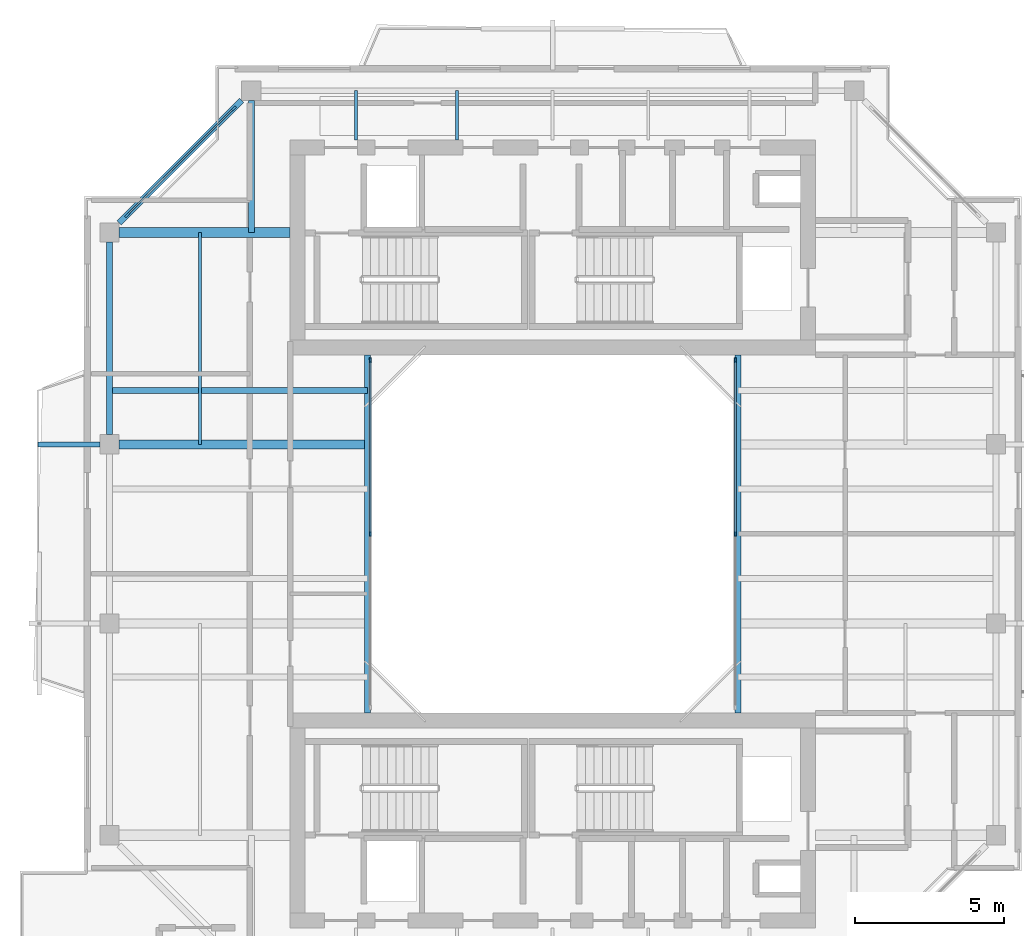
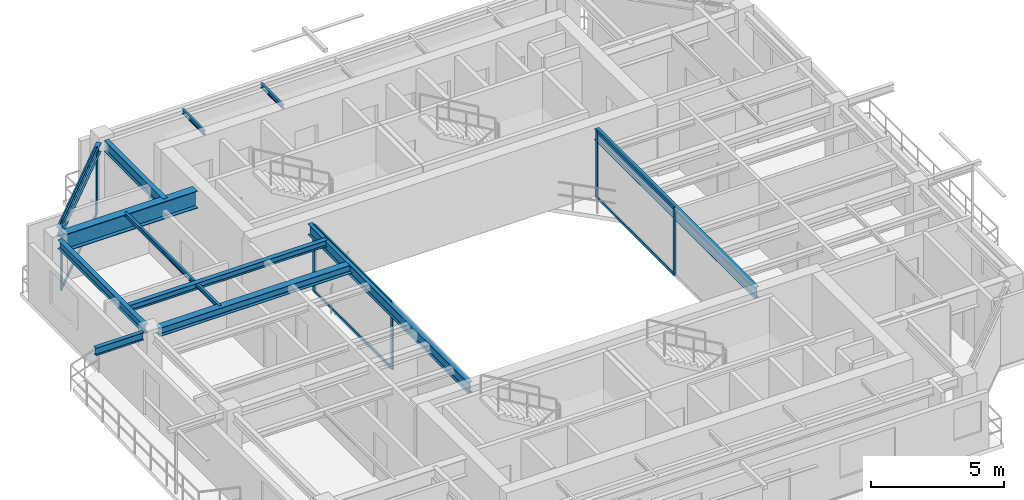
# One storey, part 4 of 14: 12 beams, 12 members, 3 elements without a shape of their own.
"""IFC4 building model written with IfcOpenShell, lengths in metres."""

from ifc_helpers import new_model, si_unit, direction, frame, origin, origin_2d, place, context, subcontext, project, spatial, rectangle, i_section, extrude, source, transform, mapped, material, layer, layer_set, material_profile, profile_set, type_object, element, aggregate, save


model = new_model("IFC4")

# Units and contexts
model_context = context("Model", 3, precision=1e-05, world=origin(), true_north=direction((0.0, 1.0)))
body_context = subcontext(model_context, "Body", "Model", "MODEL_VIEW")
ifc_project = project(units=[si_unit("LENGTHUNIT", "METRE"), si_unit("AREAUNIT", "SQUARE_METRE"), si_unit("VOLUMEUNIT", "CUBIC_METRE"), si_unit("PLANEANGLEUNIT", "RADIAN"), si_unit("MASSUNIT", "GRAM", prefix="KILO"), si_unit("THERMODYNAMICTEMPERATUREUNIT", "KELVIN"), si_unit("POWERUNIT", "WATT")], contexts=[model_context])

# Site, building, storey
site_placement = place(None, origin())
site = spatial("IfcSite", under=ifc_project, at=site_placement, CompositionType="ELEMENT")
building_placement = place(site_placement, origin())
building = spatial("IfcBuilding", under=site, at=building_placement, Name="Qiaomeng Ring Towers", CompositionType="ELEMENT")
storey_placement = place(building_placement, frame((0.0, 0.0, 243.75)))
storey = spatial("IfcBuildingStorey", under=building, at=storey_placement, Name="L71", CompositionType="ELEMENT", Elevation=243.75)

# Beams
ifc_material_1 = material(Name="Steel Q355B", Category="steel")
ifc_material_profile_1 = material_profile(ifc_material_1, i_section(OverallWidth=0.199951171875, OverallDepth=0.5, WebThickness=0.010009765625, FlangeThickness=0.01611328125, FilletRadius=0.02001953125, at=origin_2d()), Name="HN 500x200x10x16")
ifc_profile_set_1 = profile_set([ifc_material_profile_1], Name="Steel Q355B")
beam_type_1 = type_object("IfcBeamType", Name="STR-BM-HN500", PredefinedType="BEAM", material=ifc_profile_set_1)
shared_shape_1 = source(origin(), body_context, "Body", "SweptSolid", [
    extrude(i_section(OverallWidth=0.199951171875, OverallDepth=0.5, WebThickness=0.010009765625, FlangeThickness=0.01611328125, FilletRadius=0.02001953125, at=origin_2d()), origin(), (0.0, 0.0, 1.0), 12.0),
])
for number, where, z_axis, x_axis, name in (
    (1, (12.800048828125, 17.0, 2.820068359375), (0.0, 1.0, 0.0), (-1.0, 0.0, 0.0), "L71 beam STR-BM-L71-WELL-W"),
    (2, (25.199951171875, 17.0, 2.820068359375), (0.0, 1.0, 0.0), (-1.0, 0.0, 0.0), "L71 beam STR-BM-L71-WELL-E"),
):
    element("IfcBeam", number, at=place(storey_placement, frame(where, z_axis=z_axis, x_axis=x_axis)), inside=storey, type_object=beam_type_1, Name=name, PredefinedType="BEAM", context=body_context, shape_type="MappedRepresentation", body=[
        mapped(shared_shape_1, transform((0.0, 0.0, 0.0), x_axis=(1.0, 0.0, 0.0), y_axis=(0.0, 1.0, 0.0), z_axis=(0.0, 0.0, 1.0), scale=1.0)),
    ])
ifc_material_profile_2 = material_profile(ifc_material_1, i_section(OverallWidth=0.198974609375, OverallDepth=0.39599609375, WebThickness=0.007080078125, FlangeThickness=0.010986328125, FilletRadius=0.01611328125, at=origin_2d()), Name="HN 396x199x7x11")
ifc_profile_set_2 = profile_set([ifc_material_profile_2], Name="Steel Q355B")
beam_type_2 = type_object("IfcBeamType", Name="STR-BM-HN396", PredefinedType="SPANDREL", material=ifc_profile_set_2)
shared_shape_2 = source(origin(), body_context, "Body", "SweptSolid", [
    extrude(i_section(OverallWidth=0.198974609375, OverallDepth=0.39599609375, WebThickness=0.007080078125, FlangeThickness=0.010986328125, FilletRadius=0.01611328125, at=origin_2d()), origin(), (0.0, 0.0, 1.0), 5.800048828125),
])
beam_1_placement = place(storey_placement, frame((8.57568359375, 37.525634765625, 2.8720703125), z_axis=(-0.707106781187, -0.707106781187, 0.0), x_axis=(0.707106781187, -0.707106781187, 0.0)))
element("IfcBeam", 3, at=beam_1_placement, inside=storey, type_object=beam_type_2, Name="L71 beam STR-SP-L71-T1-N1-W4", PredefinedType="SPANDREL", context=body_context, shape_type="MappedRepresentation", body=[
    mapped(shared_shape_2, transform((0.0, 0.0, 0.0), x_axis=(1.0, 0.0, 0.0), y_axis=(0.0, 1.0, 0.0), z_axis=(0.0, 0.0, 1.0), scale=1.0)),
])
shared_shape_3 = source(origin(), body_context, "Body", "SweptSolid", [
    extrude(i_section(OverallWidth=0.198974609375, OverallDepth=0.39599609375, WebThickness=0.007080078125, FlangeThickness=0.010986328125, FilletRadius=0.01611328125, at=origin_2d()), origin(), (0.0, 0.0, 1.0), 6.451904296875),
])
beam_2_placement = place(storey_placement, frame((4.14990234375, 32.77587890625, 2.8720703125), z_axis=(0.0, -1.0, 0.0), x_axis=(1.0, 0.0, 0.0)))
element("IfcBeam", 4, at=beam_2_placement, inside=storey, type_object=beam_type_2, Name="L71 beam STR-SP-L71-T1-W4-W3", PredefinedType="SPANDREL", context=body_context, shape_type="MappedRepresentation", body=[
    mapped(shared_shape_3, transform((0.0, 0.0, 0.0), x_axis=(1.0, 0.0, 0.0), y_axis=(0.0, 1.0, 0.0), z_axis=(0.0, 0.0, 1.0), scale=1.0)),
])
ifc_material_2 = material(Name="Steel Q390GJC", Category="steel")
ifc_material_profile_3 = material_profile(ifc_material_2, i_section(OverallWidth=0.35009765625, OverallDepth=0.800048828125, WebThickness=0.01611328125, FlangeThickness=0.028076171875, at=origin_2d()), Name="WH 800x350x16x28")
ifc_profile_set_3 = profile_set([ifc_material_profile_3], Name="Steel Q390GJC")
beam_type_3 = type_object("IfcBeamType", Name="STR-BM-WH800", PredefinedType="BEAM", material=ifc_profile_set_3)
shared_shape_4 = source(origin(), body_context, "Body", "SweptSolid", [
    extrude(i_section(OverallWidth=0.35009765625, OverallDepth=0.800048828125, WebThickness=0.01611328125, FlangeThickness=0.028076171875, at=origin_2d()), origin(), (0.0, 0.0, 1.0), 5.725830078125),
])
beam_3_placement = place(storey_placement, frame((4.47412109375, 33.10009765625, 2.669921875), z_axis=(1.0, 0.0, 0.0), x_axis=(0.0, 1.0, 0.0)))
element("IfcBeam", 5, at=beam_3_placement, inside=storey, type_object=beam_type_3, Name="L71 beam STR-BM-L71-T1-RAD-W4", PredefinedType="BEAM", context=body_context, shape_type="MappedRepresentation", body=[
    mapped(shared_shape_4, transform((0.0, 0.0, 0.0), x_axis=(1.0, 0.0, 0.0), y_axis=(0.0, 1.0, 0.0), z_axis=(0.0, 0.0, 1.0), scale=1.0)),
])
ifc_material_profile_4 = material_profile(ifc_material_1, i_section(OverallWidth=0.198974609375, OverallDepth=0.49609375, WebThickness=0.009033203125, FlangeThickness=0.013916015625, FilletRadius=0.01806640625, at=origin_2d()), Name="HN 496x199x9x14")
ifc_profile_set_4 = profile_set([ifc_material_profile_4], Name="Steel Q355B")
beam_type_4 = type_object("IfcBeamType", Name="STR-BM-HN496", PredefinedType="BEAM", material=ifc_profile_set_4)
shared_shape_5 = source(origin(), body_context, "Body", "SweptSolid", [
    extrude(i_section(OverallWidth=0.198974609375, OverallDepth=0.49609375, WebThickness=0.009033203125, FlangeThickness=0.013916015625, FilletRadius=0.01806640625, at=origin_2d()), origin(), (0.0, 0.0, 1.0), 4.42578125),
])
beam_4_placement = place(storey_placement, frame((8.89990234375, 37.52587890625, 2.822021484375), z_axis=(0.0, -1.0, 0.0), x_axis=(1.0, 0.0, 0.0)))
element("IfcBeam", 6, at=beam_4_placement, inside=storey, type_object=beam_type_4, Name="L71 beam STR-BM-L71-T1-RAD-N1", PredefinedType="BEAM", context=body_context, shape_type="MappedRepresentation", body=[
    mapped(shared_shape_5, transform((0.0, 0.0, 0.0), x_axis=(1.0, 0.0, 0.0), y_axis=(0.0, 1.0, 0.0), z_axis=(0.0, 0.0, 1.0), scale=1.0)),
])
ifc_material_profile_5 = material_profile(ifc_material_1, i_section(OverallWidth=0.300048828125, OverallDepth=0.389892578125, WebThickness=0.010009765625, FlangeThickness=0.01611328125, FilletRadius=0.02197265625, at=origin_2d()), Name="HM 390x300x10x16")
ifc_profile_set_5 = profile_set([ifc_material_profile_5], Name="Steel Q355B")
beam_type_5 = type_object("IfcBeamType", Name="STR-BM-HM390", PredefinedType="BEAM", material=ifc_profile_set_5)
shared_shape_6 = source(origin(), body_context, "Body", "SweptSolid", [
    extrude(i_section(OverallWidth=0.300048828125, OverallDepth=0.389892578125, WebThickness=0.010009765625, FlangeThickness=0.01611328125, FilletRadius=0.02197265625, at=origin_2d()), origin(), (0.0, 0.0, 1.0), 8.325927734375),
])
beam_5_placement = place(storey_placement, frame((4.47412109375, 26.0, 2.875), z_axis=(1.0, 0.0, 0.0), x_axis=(0.0, 1.0, 0.0)))
element("IfcBeam", 7, at=beam_5_placement, inside=storey, type_object=beam_type_5, Name="L71 beam STR-BM-L71-T1-RAD-W3", PredefinedType="BEAM", context=body_context, shape_type="MappedRepresentation", body=[
    mapped(shared_shape_6, transform((0.0, 0.0, 0.0), x_axis=(1.0, 0.0, 0.0), y_axis=(0.0, 1.0, 0.0), z_axis=(0.0, 0.0, 1.0), scale=1.0)),
])
ifc_material_profile_6 = material_profile(ifc_material_1, i_section(OverallWidth=0.175048828125, OverallDepth=0.35009765625, WebThickness=0.007080078125, FlangeThickness=0.010986328125, FilletRadius=0.013916015625, at=origin_2d()), Name="HN 350x175x7x11")
ifc_profile_set_6 = profile_set([ifc_material_profile_6], Name="Steel Q355B")
beam_type_6 = type_object("IfcBeamType", Name="STR-BM-HN350", PredefinedType="JOIST", material=ifc_profile_set_6)
shared_shape_7 = source(origin(), body_context, "Body", "SweptSolid", [
    extrude(i_section(OverallWidth=0.175048828125, OverallDepth=0.35009765625, WebThickness=0.007080078125, FlangeThickness=0.010986328125, FilletRadius=0.013916015625, at=origin_2d()), origin(), (0.0, 0.0, 1.0), 2.075927734375),
])
beam_6_placement = place(storey_placement, frame((1.75, 26.0, 2.89501953125), z_axis=(1.0, 0.0, 0.0), x_axis=(0.0, 1.0, 0.0)))
element("IfcBeam", 8, at=beam_6_placement, inside=storey, type_object=beam_type_6, Name="L71 beam STR-BALBM-L71-W3", PredefinedType="JOIST", context=body_context, shape_type="MappedRepresentation", body=[
    mapped(shared_shape_7, transform((0.0, 0.0, 0.0), x_axis=(1.0, 0.0, 0.0), y_axis=(0.0, 1.0, 0.0), z_axis=(0.0, 0.0, 1.0), scale=1.0)),
])
ifc_material_profile_7 = material_profile(ifc_material_1, i_section(OverallWidth=0.10009765625, OverallDepth=0.199951171875, WebThickness=0.005615234375, FlangeThickness=0.008056640625, FilletRadius=0.010986328125, at=origin_2d()), Name="HN 200x100x5.5x8")
ifc_profile_set_7 = profile_set([ifc_material_profile_7], Name="Steel Q355B")
beam_type_7 = type_object("IfcBeamType", Name="STR-BM-HN200", PredefinedType="JOIST", material=ifc_profile_set_7)
shared_shape_8 = source(origin(), body_context, "Body", "SweptSolid", [
    extrude(i_section(OverallWidth=0.10009765625, OverallDepth=0.199951171875, WebThickness=0.005615234375, FlangeThickness=0.008056640625, FilletRadius=0.010986328125, at=origin_2d()), origin(), (0.0, 0.0, 1.0), 1.650146484375),
])
for number, where, z_axis, x_axis, name in (
    (9, (12.39990234375, 36.199951171875, 2.969970703125), (0.0, 1.0, 0.0), (-1.0, 0.0, 0.0), "L71 beam STR-JST-L71-T1N-1"),
    (10, (15.800048828125, 36.199951171875, 2.969970703125), (0.0, 1.0, 0.0), (-1.0, 0.0, 0.0), "L71 beam STR-JST-L71-T1N-2"),
):
    element("IfcBeam", number, at=place(storey_placement, frame(where, z_axis=z_axis, x_axis=x_axis)), inside=storey, type_object=beam_type_7, Name=name, PredefinedType="JOIST", context=body_context, shape_type="MappedRepresentation", body=[
        mapped(shared_shape_8, transform((0.0, 0.0, 0.0), x_axis=(1.0, 0.0, 0.0), y_axis=(0.0, 1.0, 0.0), z_axis=(0.0, 0.0, 1.0), scale=1.0)),
    ])
ifc_material_profile_8 = material_profile(ifc_material_1, i_section(OverallWidth=0.199951171875, OverallDepth=0.2939453125, WebThickness=0.008056640625, FlangeThickness=0.011962890625, FilletRadius=0.01806640625, at=origin_2d()), Name="HM 294x200x8x12")
ifc_profile_set_8 = profile_set([ifc_material_profile_8], Name="Steel Q355B")
beam_type_8 = type_object("IfcBeamType", Name="STR-BM-HM294", PredefinedType="JOIST", material=ifc_profile_set_8)
shared_shape_9 = source(origin(), body_context, "Body", "SweptSolid", [
    extrude(i_section(OverallWidth=0.199951171875, OverallDepth=0.2939453125, WebThickness=0.008056640625, FlangeThickness=0.011962890625, FilletRadius=0.01806640625, at=origin_2d()), origin(), (0.0, 0.0, 1.0), 8.650146484375),
])
beam_7_placement = place(storey_placement, frame((4.14990234375, 27.800048828125, 2.923095703125), z_axis=(1.0, 0.0, 0.0), x_axis=(0.0, 1.0, 0.0)))
element("IfcBeam", 11, at=beam_7_placement, inside=storey, type_object=beam_type_8, Name="L71 beam STR-JST-L71-T1W-4", PredefinedType="JOIST", context=body_context, shape_type="MappedRepresentation", body=[
    mapped(shared_shape_9, transform((0.0, 0.0, 0.0), x_axis=(1.0, 0.0, 0.0), y_axis=(0.0, 1.0, 0.0), z_axis=(0.0, 0.0, 1.0), scale=1.0)),
])
shared_shape_10 = source(origin(), body_context, "Body", "SweptSolid", [
    extrude(i_section(OverallWidth=0.10009765625, OverallDepth=0.199951171875, WebThickness=0.005615234375, FlangeThickness=0.008056640625, FilletRadius=0.010986328125, at=origin_2d()), origin(), (0.0, 0.0, 1.0), 7.10009765625),
])
beam_8_placement = place(storey_placement, frame((7.175048828125, 26.0, 2.969970703125), z_axis=(0.0, 1.0, 0.0), x_axis=(-1.0, 0.0, 0.0)))
element("IfcBeam", 12, at=beam_8_placement, inside=storey, type_object=beam_type_7, Name="L71 beam STR-JST-L71-T1C-WN", PredefinedType="JOIST", context=body_context, shape_type="MappedRepresentation", body=[
    mapped(shared_shape_10, transform((0.0, 0.0, 0.0), x_axis=(1.0, 0.0, 0.0), y_axis=(0.0, 1.0, 0.0), z_axis=(0.0, 0.0, 1.0), scale=1.0)),
])

# Curtain wall, members
ifc_material_3 = material(Name="Fluorocarbon dark-grey aluminium", Category="aluminium")
ifc_layer_1 = layer(ifc_material_3, 0.139892578125, Name="Fluorocarbon dark-grey aluminium")
ifc_layer_set_1 = layer_set([ifc_layer_1], Name="Fluorocarbon dark-grey aluminium")
curtain_wall_type_1 = type_object("IfcCurtainWallType", Name="ARC-CW-4", PredefinedType="NOTDEFINED", material=ifc_layer_set_1)
curtain_wall_1_placement = place(storey_placement, origin())
curtain_wall_1 = element("IfcCurtainWall", 13, at=curtain_wall_1_placement, inside=storey, type_object=curtain_wall_type_1, Name="L71 Curtain Wall CW4", PredefinedType="NOTDEFINED")
ifc_material_profile_9 = material_profile(ifc_material_3, rectangle(XDim=0.06494140625, YDim=0.159912109375, at=origin_2d()), Name="ALU MULL 65x160")
ifc_profile_set_9 = profile_set([ifc_material_profile_9], Name="Fluorocarbon dark-grey aluminium")
member_type_1 = type_object("IfcMemberType", Name="ARC-CWM-140", PredefinedType="MULLION", material=ifc_profile_set_9)
shared_shape_11 = source(origin(), body_context, "Body", "SweptSolid", [
    extrude(rectangle(XDim=0.06494140625, YDim=0.159912109375, at=origin_2d()), origin(), (0.0, 0.0, 1.0), 3.070068359375),
])
member_1_placement = place(storey_placement, frame((12.8798828125, 23.0, 0.0), z_axis=(0.0, 0.0, 1.0), x_axis=(-1.0, 0.0, 0.0)))
member_1 = element("IfcMember", 14, at=member_1_placement, type_object=member_type_1, Name="CW4 mullion 2", PredefinedType="MULLION", context=body_context, shape_type="MappedRepresentation", body=[
    mapped(shared_shape_11, transform((0.0, 0.0, 0.0), x_axis=(1.0, 0.0, 0.0), y_axis=(0.0, 1.0, 0.0), z_axis=(0.0, 0.0, 1.0), scale=1.0)),
])
member_2_placement = place(storey_placement, frame((12.8798828125, 28.8173828125, 0.0), z_axis=(0.0, 0.0, 1.0), x_axis=(-1.0, 0.0, 0.0)))
member_2 = element("IfcMember", 15, at=member_2_placement, type_object=member_type_1, Name="CW4 mullion 3", PredefinedType="MULLION", context=body_context, shape_type="MappedRepresentation", body=[
    mapped(shared_shape_11, transform((0.0, 0.0, 0.0), x_axis=(1.0, 0.0, 0.0), y_axis=(0.0, 1.0, 0.0), z_axis=(0.0, 0.0, 1.0), scale=1.0)),
])

curtain_wall_2_placement = place(storey_placement, origin())
curtain_wall_2 = element("IfcCurtainWall", 16, at=curtain_wall_2_placement, inside=storey, type_object=curtain_wall_type_1, Name="L71 Curtain Wall CW4", PredefinedType="NOTDEFINED")
member_3_placement = place(storey_placement, frame((25.1201171875, 23.0, 0.0), z_axis=(0.0, 0.0, 1.0), x_axis=(-1.0, 0.0, 0.0)))
member_3 = element("IfcMember", 17, at=member_3_placement, type_object=member_type_1, Name="CW4 mullion 2", PredefinedType="MULLION", context=body_context, shape_type="MappedRepresentation", body=[
    mapped(shared_shape_11, transform((0.0, 0.0, 0.0), x_axis=(1.0, 0.0, 0.0), y_axis=(0.0, 1.0, 0.0), z_axis=(0.0, 0.0, 1.0), scale=1.0)),
])
member_4_placement = place(storey_placement, frame((25.1201171875, 28.8173828125, 0.0), z_axis=(0.0, 0.0, 1.0), x_axis=(-1.0, 0.0, 0.0)))
member_4 = element("IfcMember", 18, at=member_4_placement, type_object=member_type_1, Name="CW4 mullion 3", PredefinedType="MULLION", context=body_context, shape_type="MappedRepresentation", body=[
    mapped(shared_shape_11, transform((0.0, 0.0, 0.0), x_axis=(1.0, 0.0, 0.0), y_axis=(0.0, 1.0, 0.0), z_axis=(0.0, 0.0, 1.0), scale=1.0)),
])

# Member
ifc_material_profile_10 = material_profile(ifc_material_3, rectangle(XDim=0.06494140625, YDim=0.1298828125, at=origin_2d()), Name="ALU TRAN 65x130")
ifc_profile_set_10 = profile_set([ifc_material_profile_10], Name="Fluorocarbon dark-grey aluminium")
member_type_2 = type_object("IfcMemberType", Name="ARC-CWT-120", PredefinedType="USERDEFINED", material=ifc_profile_set_10)
shared_shape_12 = source(origin(), body_context, "Body", "SweptSolid", [
    extrude(rectangle(XDim=0.06494140625, YDim=0.1298828125, at=origin_2d()), origin(), (0.0, 0.0, 1.0), 5.75244140625),
])
member_5_placement = place(storey_placement, frame((12.8798828125, 23.032470703125, 0.032470703125), z_axis=(0.0, 1.0, 0.0), x_axis=(-1.0, 0.0, 0.0)))
member_5 = element("IfcMember", 19, at=member_5_placement, type_object=member_type_2, Name="CW4 transom 2.1", ObjectType="TRANSOM", PredefinedType="USERDEFINED", context=body_context, shape_type="MappedRepresentation", body=[
    mapped(shared_shape_12, transform((0.0, 0.0, 0.0), x_axis=(1.0, 0.0, 0.0), y_axis=(0.0, 1.0, 0.0), z_axis=(0.0, 0.0, 1.0), scale=1.0)),
])

member_6_placement = place(storey_placement, frame((12.8798828125, 23.032470703125, 3.03759765625), z_axis=(0.0, 1.0, 0.0), x_axis=(-1.0, 0.0, 0.0)))
member_6 = element("IfcMember", 20, at=member_6_placement, type_object=member_type_2, Name="CW4 transom 2.2", ObjectType="TRANSOM", PredefinedType="USERDEFINED", context=body_context, shape_type="MappedRepresentation", body=[
    mapped(shared_shape_12, transform((0.0, 0.0, 0.0), x_axis=(1.0, 0.0, 0.0), y_axis=(0.0, 1.0, 0.0), z_axis=(0.0, 0.0, 1.0), scale=1.0)),
])

aggregate(curtain_wall_1, [member_1, member_2, member_5, member_6])

member_7_placement = place(storey_placement, frame((25.1201171875, 23.032470703125, 0.032470703125), z_axis=(0.0, 1.0, 0.0), x_axis=(-1.0, 0.0, 0.0)))
member_7 = element("IfcMember", 21, at=member_7_placement, type_object=member_type_2, Name="CW4 transom 2.1", ObjectType="TRANSOM", PredefinedType="USERDEFINED", context=body_context, shape_type="MappedRepresentation", body=[
    mapped(shared_shape_12, transform((0.0, 0.0, 0.0), x_axis=(1.0, 0.0, 0.0), y_axis=(0.0, 1.0, 0.0), z_axis=(0.0, 0.0, 1.0), scale=1.0)),
])

member_8_placement = place(storey_placement, frame((25.1201171875, 23.032470703125, 3.03759765625), z_axis=(0.0, 1.0, 0.0), x_axis=(-1.0, 0.0, 0.0)))
member_8 = element("IfcMember", 22, at=member_8_placement, type_object=member_type_2, Name="CW4 transom 2.2", ObjectType="TRANSOM", PredefinedType="USERDEFINED", context=body_context, shape_type="MappedRepresentation", body=[
    mapped(shared_shape_12, transform((0.0, 0.0, 0.0), x_axis=(1.0, 0.0, 0.0), y_axis=(0.0, 1.0, 0.0), z_axis=(0.0, 0.0, 1.0), scale=1.0)),
])

aggregate(curtain_wall_2, [member_3, member_4, member_7, member_8])

# Curtain wall, members
ifc_layer_2 = layer(ifc_material_3, 0.14990234375, Name="Fluorocarbon dark-grey aluminium")
ifc_layer_set_2 = layer_set([ifc_layer_2], Name="Fluorocarbon dark-grey aluminium")
curtain_wall_type_2 = type_object("IfcCurtainWallType", Name="ARC-CW-3", PredefinedType="NOTDEFINED", material=ifc_layer_set_2)
curtain_wall_3_placement = place(storey_placement, origin())
curtain_wall_3 = element("IfcCurtainWall", 23, at=curtain_wall_3_placement, inside=storey, type_object=curtain_wall_type_2, Name="L71 Curtain Wall CW3", PredefinedType="NOTDEFINED")
ifc_material_profile_11 = material_profile(ifc_material_3, rectangle(XDim=0.070068359375, YDim=0.179931640625, at=origin_2d()), Name="ALU MULL 70x180")
ifc_profile_set_11 = profile_set([ifc_material_profile_11], Name="Fluorocarbon dark-grey aluminium")
member_type_3 = type_object("IfcMemberType", Name="ARC-CWM-160", PredefinedType="MULLION", material=ifc_profile_set_11)
shared_shape_13 = source(origin(), body_context, "Body", "SweptSolid", [
    extrude(rectangle(XDim=0.070068359375, YDim=0.179931640625, at=origin_2d()), origin(), (0.0, 0.0, 1.0), 3.070068359375),
])
member_9_placement = place(storey_placement, frame((8.310302734375, 37.26025390625, 0.0), z_axis=(0.0, 0.0, 1.0), x_axis=(0.707106781187, -0.707106781187, 0.0)))
member_9 = element("IfcMember", 24, at=member_9_placement, type_object=member_type_3, Name="CW3 mullion 1", PredefinedType="MULLION", context=body_context, shape_type="MappedRepresentation", body=[
    mapped(shared_shape_13, transform((0.0, 0.0, 0.0), x_axis=(1.0, 0.0, 0.0), y_axis=(0.0, 1.0, 0.0), z_axis=(0.0, 0.0, 1.0), scale=1.0)),
])
member_10_placement = place(storey_placement, frame((4.73974609375, 33.689697265625, 0.0), z_axis=(0.0, 0.0, 1.0), x_axis=(0.707106781187, -0.707106781187, 0.0)))
member_10 = element("IfcMember", 25, at=member_10_placement, type_object=member_type_3, Name="CW3 mullion 2", PredefinedType="MULLION", context=body_context, shape_type="MappedRepresentation", body=[
    mapped(shared_shape_13, transform((0.0, 0.0, 0.0), x_axis=(1.0, 0.0, 0.0), y_axis=(0.0, 1.0, 0.0), z_axis=(0.0, 0.0, 1.0), scale=1.0)),
])
shared_shape_14 = source(origin(), body_context, "Body", "SweptSolid", [
    extrude(rectangle(XDim=0.06494140625, YDim=0.1298828125, at=origin_2d()), origin(), (0.0, 0.0, 1.0), 4.9794921875),
])
member_11_placement = place(storey_placement, frame((8.285400390625, 37.235595703125, 0.032470703125), z_axis=(-0.707106781187, -0.707106781187, 0.0), x_axis=(0.707106781187, -0.707106781187, 0.0)))
member_11 = element("IfcMember", 26, at=member_11_placement, type_object=member_type_2, Name="CW3 transom 1.1", ObjectType="TRANSOM", PredefinedType="USERDEFINED", context=body_context, shape_type="MappedRepresentation", body=[
    mapped(shared_shape_14, transform((0.0, 0.0, 0.0), x_axis=(1.0, 0.0, 0.0), y_axis=(0.0, 1.0, 0.0), z_axis=(0.0, 0.0, 1.0), scale=1.0)),
])
member_12_placement = place(storey_placement, frame((8.285400390625, 37.235595703125, 3.03759765625), z_axis=(-0.707106781187, -0.707106781187, 0.0), x_axis=(0.707106781187, -0.707106781187, 0.0)))
member_12 = element("IfcMember", 27, at=member_12_placement, type_object=member_type_2, Name="CW3 transom 1.2", ObjectType="TRANSOM", PredefinedType="USERDEFINED", context=body_context, shape_type="MappedRepresentation", body=[
    mapped(shared_shape_14, transform((0.0, 0.0, 0.0), x_axis=(1.0, 0.0, 0.0), y_axis=(0.0, 1.0, 0.0), z_axis=(0.0, 0.0, 1.0), scale=1.0)),
])
aggregate(curtain_wall_3, [member_9, member_10, member_11, member_12])

save(model, "model.ifc")
